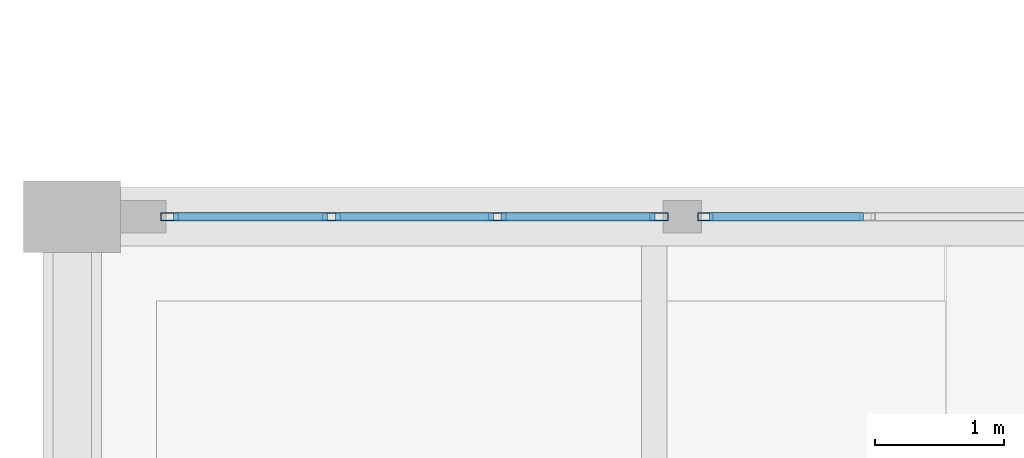
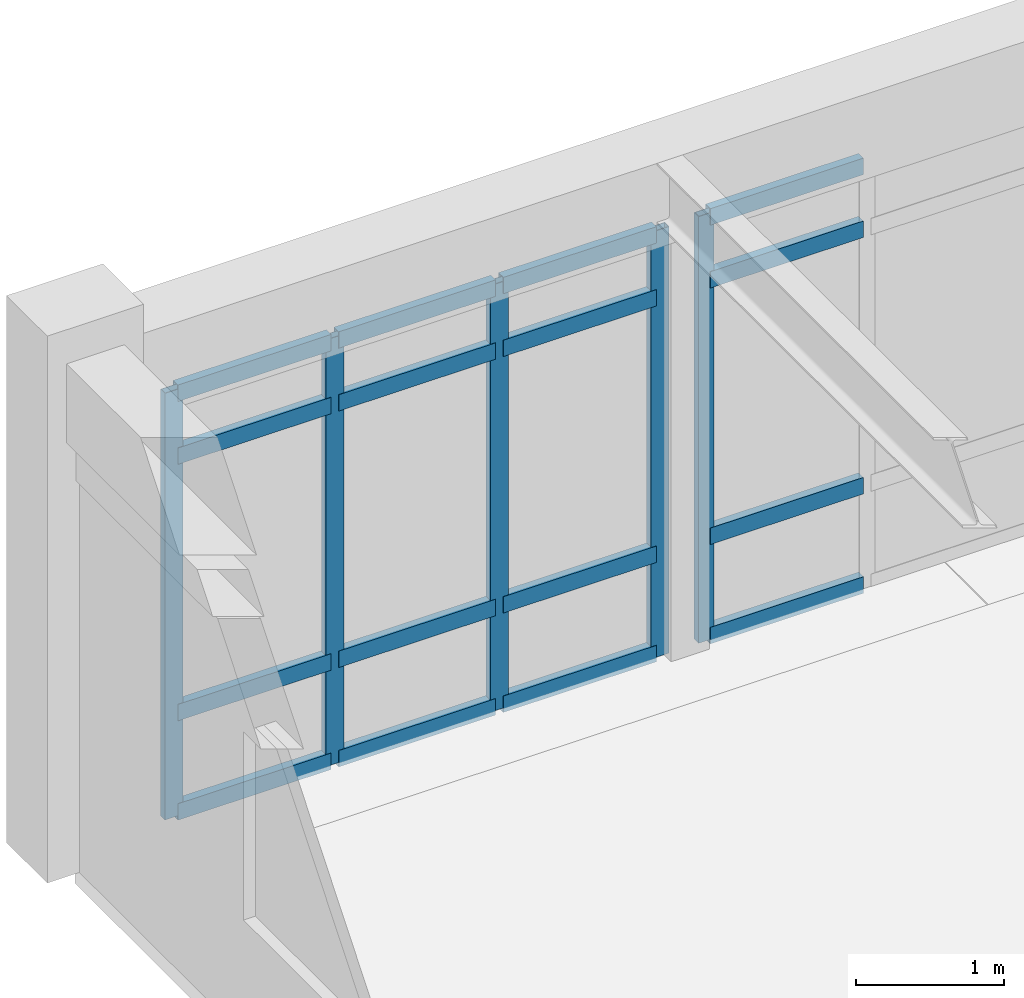
# One storey, part 16 of 109: 21 members, 2 elements without a shape of their own.
"""IFC4 building model written with IfcOpenShell, lengths in metres."""

from ifc_helpers import new_model, si_unit, direction, frame, origin, origin_2d, place, context, subcontext, project, spatial, hollow_rectangle, extrude, material, layer, layer_set, material_profile, profile_set, type_object, element, aggregate, save


model = new_model("IFC4")

# Units and contexts
model_context = context("Model", 3, precision=1e-05, world=origin(), true_north=direction((0.0, 1.0)))
body_context = subcontext(model_context, "Body", "Model", "MODEL_VIEW")
ifc_project = project(units=[si_unit("LENGTHUNIT", "METRE"), si_unit("AREAUNIT", "SQUARE_METRE"), si_unit("VOLUMEUNIT", "CUBIC_METRE"), si_unit("PLANEANGLEUNIT", "RADIAN"), si_unit("MASSUNIT", "GRAM", prefix="KILO")], contexts=[model_context])

# Site, building, storey
site_placement = place(None, origin())
site = spatial("IfcSite", under=ifc_project, at=site_placement, CompositionType="ELEMENT")
building_placement = place(site_placement, origin())
building = spatial("IfcBuilding", under=site, at=building_placement, Name="Fikremerkos Civic Library", CompositionType="ELEMENT")
storey_placement = place(building_placement, frame((0.0, 0.0, 5.39990234375)))
storey = spatial("IfcBuildingStorey", under=building, at=storey_placement, Name="L01", CompositionType="ELEMENT", Elevation=5.39990234375)

# Curtain wall, members
ifc_material = material(Name="Anodized aluminium Frame", Category="aluminium")
ifc_layer_1 = layer(ifc_material, 0.159912109375, Name="Anodized aluminium Frame")
ifc_layer_set_1 = layer_set([ifc_layer_1], Name="Anodized aluminium Frame")
curtain_wall_type_1 = type_object("IfcCurtainWallType", Name="Unitised curtain wall CW-11 3200x3400", PredefinedType="USERDEFINED", material=ifc_layer_set_1)
curtain_wall_1_placement = place(storey_placement, origin())
curtain_wall_1 = element("IfcCurtainWall", 1, at=curtain_wall_1_placement, inside=storey, type_object=curtain_wall_type_1, Name="Unitised curtain wall CW-11 L01 #83", ObjectType="UNITISED CURTAIN WALL", PredefinedType="USERDEFINED")
ifc_material_profile_1 = material_profile(ifc_material, hollow_rectangle(XDim=0.06005859375, YDim=0.139892578125, WallThickness=0.00390625, at=origin_2d()), Name="ALU 140x60x4")
ifc_profile_set_1 = profile_set([ifc_material_profile_1], Name="Anodized aluminium Frame")
member_type_1 = type_object("IfcMemberType", Name="Curtain mullion CWM-03 ALU 140x60x4", PredefinedType="MULLION", material=ifc_profile_set_1)
member_1_placement = place(storey_placement, frame((46.952880859375, 48.0, 0.0), z_axis=(0.0, 0.0, 1.0), x_axis=(0.0, 1.0, 0.0)))
member_1 = element("IfcMember", 2, at=member_1_placement, type_object=member_type_1, Name="CW-11 mullion 1", PredefinedType="MULLION", context=body_context, shape_type="SweptSolid", body=[
    extrude(hollow_rectangle(XDim=0.06005859375, YDim=0.139892578125, WallThickness=0.00390625, at=origin_2d()), origin(), (0.0, 0.0, 1.0), 3.510009765625),
])
member_2_placement = place(storey_placement, frame((48.2041015625, 48.0, 0.0), z_axis=(0.0, 0.0, 1.0), x_axis=(0.0, 1.0, 0.0)))
member_2 = element("IfcMember", 3, at=member_2_placement, type_object=member_type_1, Name="CW-11 mullion 2", PredefinedType="MULLION", context=body_context, shape_type="SweptSolid", body=[
    extrude(hollow_rectangle(XDim=0.06005859375, YDim=0.139892578125, WallThickness=0.00390625, at=origin_2d()), origin(), (0.0, 0.0, 1.0), 3.510009765625),
])
member_3_placement = place(storey_placement, frame((49.485107421875, 48.0, 0.0), z_axis=(0.0, 0.0, 1.0), x_axis=(0.0, 1.0, 0.0)))
member_3 = element("IfcMember", 4, at=member_3_placement, type_object=member_type_1, Name="CW-11 mullion 3", PredefinedType="MULLION", context=body_context, shape_type="SweptSolid", body=[
    extrude(hollow_rectangle(XDim=0.06005859375, YDim=0.139892578125, WallThickness=0.00390625, at=origin_2d()), origin(), (0.0, 0.0, 1.0), 3.510009765625),
])
member_4_placement = place(storey_placement, frame((50.736083984375, 48.0, 0.0), z_axis=(0.0, 0.0, 1.0), x_axis=(0.0, 1.0, 0.0)))
member_4 = element("IfcMember", 5, at=member_4_placement, type_object=member_type_1, Name="CW-11 mullion 4", PredefinedType="MULLION", context=body_context, shape_type="SweptSolid", body=[
    extrude(hollow_rectangle(XDim=0.06005859375, YDim=0.139892578125, WallThickness=0.00390625, at=origin_2d()), origin(), (0.0, 0.0, 1.0), 3.510009765625),
])

# Curtain wall, member
ifc_layer_2 = layer(ifc_material, 0.159912109375, Name="Anodized aluminium Frame")
ifc_layer_set_2 = layer_set([ifc_layer_2], Name="Anodized aluminium Frame")
curtain_wall_type_2 = type_object("IfcCurtainWallType", Name="Unitised curtain wall CW-12 4300x3400", PredefinedType="USERDEFINED", material=ifc_layer_set_2)
curtain_wall_2_placement = place(storey_placement, origin())
curtain_wall_2 = element("IfcCurtainWall", 6, at=curtain_wall_2_placement, inside=storey, type_object=curtain_wall_type_2, Name="Unitised curtain wall CW-12 L01 #84", ObjectType="UNITISED CURTAIN WALL", PredefinedType="USERDEFINED")
ifc_material_profile_2 = material_profile(ifc_material, hollow_rectangle(XDim=0.06005859375, YDim=0.1201171875, WallThickness=0.00390625, at=origin_2d()), Name="ALU 120x60x4")
ifc_profile_set_2 = profile_set([ifc_material_profile_2], Name="Anodized aluminium Frame")
member_type_2 = type_object("IfcMemberType", Name="Curtain mullion CWM-04 ALU 120x60x4", PredefinedType="MULLION", material=ifc_profile_set_2)
member_5_placement = place(storey_placement, frame((51.095947265625, 48.0, 0.0), z_axis=(0.0, 0.0, 1.0), x_axis=(0.0, 1.0, 0.0)))
member_5 = element("IfcMember", 7, at=member_5_placement, type_object=member_type_2, Name="CW-12 mullion 1", PredefinedType="MULLION", context=body_context, shape_type="SweptSolid", body=[
    extrude(hollow_rectangle(XDim=0.06005859375, YDim=0.1201171875, WallThickness=0.00390625, at=origin_2d()), origin(), (0.0, 0.0, 1.0), 3.510009765625),
])

# Member
ifc_material_profile_3 = material_profile(ifc_material, hollow_rectangle(XDim=0.06494140625, YDim=0.135009765625, WallThickness=0.00439453125, at=origin_2d()), Name="ALU 135x65x4.5")
ifc_profile_set_3 = profile_set([ifc_material_profile_3], Name="Anodized aluminium Frame")
member_type_3 = type_object("IfcMemberType", Name="Curtain transom CWT-02 ALU 135x65x4.5", PredefinedType="USERDEFINED", material=ifc_profile_set_3)
member_6_placement = place(storey_placement, frame((46.98291015625, 48.0, 0.03271484375), z_axis=(1.0, 0.0, 0.0), x_axis=(0.0, 1.0, 0.0)))
member_6 = element("IfcMember", 8, at=member_6_placement, type_object=member_type_3, Name="CW-11 transom 1.1", ObjectType="TRANSOM", PredefinedType="USERDEFINED", context=body_context, shape_type="SweptSolid", body=[
    extrude(hollow_rectangle(XDim=0.06494140625, YDim=0.135009765625, WallThickness=0.00439453125, at=origin_2d()), origin(), (0.0, 0.0, 1.0), 1.191162109375),
])

member_7_placement = place(storey_placement, frame((46.98291015625, 48.0, 0.85009765625), z_axis=(1.0, 0.0, 0.0), x_axis=(0.0, 1.0, 0.0)))
member_7 = element("IfcMember", 9, at=member_7_placement, type_object=member_type_3, Name="CW-11 transom 1.2", ObjectType="TRANSOM", PredefinedType="USERDEFINED", context=body_context, shape_type="SweptSolid", body=[
    extrude(hollow_rectangle(XDim=0.06494140625, YDim=0.135009765625, WallThickness=0.00439453125, at=origin_2d()), origin(), (0.0, 0.0, 1.0), 1.191162109375),
])

member_8_placement = place(storey_placement, frame((46.98291015625, 48.0, 2.960205078125), z_axis=(1.0, 0.0, 0.0), x_axis=(0.0, 1.0, 0.0)))
member_8 = element("IfcMember", 10, at=member_8_placement, type_object=member_type_3, Name="CW-11 transom 1.3", ObjectType="TRANSOM", PredefinedType="USERDEFINED", context=body_context, shape_type="SweptSolid", body=[
    extrude(hollow_rectangle(XDim=0.06494140625, YDim=0.135009765625, WallThickness=0.00439453125, at=origin_2d()), origin(), (0.0, 0.0, 1.0), 1.191162109375),
])

member_9_placement = place(storey_placement, frame((46.98291015625, 48.0, 3.4775390625), z_axis=(1.0, 0.0, 0.0), x_axis=(0.0, 1.0, 0.0)))
member_9 = element("IfcMember", 11, at=member_9_placement, type_object=member_type_3, Name="CW-11 transom 1.4", ObjectType="TRANSOM", PredefinedType="USERDEFINED", context=body_context, shape_type="SweptSolid", body=[
    extrude(hollow_rectangle(XDim=0.06494140625, YDim=0.135009765625, WallThickness=0.00439453125, at=origin_2d()), origin(), (0.0, 0.0, 1.0), 1.191162109375),
])

member_10_placement = place(storey_placement, frame((48.23388671875, 48.0, 0.03271484375), z_axis=(1.0, 0.0, 0.0), x_axis=(0.0, 1.0, 0.0)))
member_10 = element("IfcMember", 12, at=member_10_placement, type_object=member_type_3, Name="CW-11 transom 2.1", ObjectType="TRANSOM", PredefinedType="USERDEFINED", context=body_context, shape_type="SweptSolid", body=[
    extrude(hollow_rectangle(XDim=0.06494140625, YDim=0.135009765625, WallThickness=0.00439453125, at=origin_2d()), origin(), (0.0, 0.0, 1.0), 1.22119140625),
])

member_11_placement = place(storey_placement, frame((48.23388671875, 48.0, 0.85009765625), z_axis=(1.0, 0.0, 0.0), x_axis=(0.0, 1.0, 0.0)))
member_11 = element("IfcMember", 13, at=member_11_placement, type_object=member_type_3, Name="CW-11 transom 2.2", ObjectType="TRANSOM", PredefinedType="USERDEFINED", context=body_context, shape_type="SweptSolid", body=[
    extrude(hollow_rectangle(XDim=0.06494140625, YDim=0.135009765625, WallThickness=0.00439453125, at=origin_2d()), origin(), (0.0, 0.0, 1.0), 1.22119140625),
])

member_12_placement = place(storey_placement, frame((48.23388671875, 48.0, 2.960205078125), z_axis=(1.0, 0.0, 0.0), x_axis=(0.0, 1.0, 0.0)))
member_12 = element("IfcMember", 14, at=member_12_placement, type_object=member_type_3, Name="CW-11 transom 2.3", ObjectType="TRANSOM", PredefinedType="USERDEFINED", context=body_context, shape_type="SweptSolid", body=[
    extrude(hollow_rectangle(XDim=0.06494140625, YDim=0.135009765625, WallThickness=0.00439453125, at=origin_2d()), origin(), (0.0, 0.0, 1.0), 1.22119140625),
])

member_13_placement = place(storey_placement, frame((48.23388671875, 48.0, 3.4775390625), z_axis=(1.0, 0.0, 0.0), x_axis=(0.0, 1.0, 0.0)))
member_13 = element("IfcMember", 15, at=member_13_placement, type_object=member_type_3, Name="CW-11 transom 2.4", ObjectType="TRANSOM", PredefinedType="USERDEFINED", context=body_context, shape_type="SweptSolid", body=[
    extrude(hollow_rectangle(XDim=0.06494140625, YDim=0.135009765625, WallThickness=0.00439453125, at=origin_2d()), origin(), (0.0, 0.0, 1.0), 1.22119140625),
])

member_14_placement = place(storey_placement, frame((49.514892578125, 48.0, 0.03271484375), z_axis=(1.0, 0.0, 0.0), x_axis=(0.0, 1.0, 0.0)))
member_14 = element("IfcMember", 16, at=member_14_placement, type_object=member_type_3, Name="CW-11 transom 3.1", ObjectType="TRANSOM", PredefinedType="USERDEFINED", context=body_context, shape_type="SweptSolid", body=[
    extrude(hollow_rectangle(XDim=0.06494140625, YDim=0.135009765625, WallThickness=0.00439453125, at=origin_2d()), origin(), (0.0, 0.0, 1.0), 1.191162109375),
])

member_15_placement = place(storey_placement, frame((49.514892578125, 48.0, 0.85009765625), z_axis=(1.0, 0.0, 0.0), x_axis=(0.0, 1.0, 0.0)))
member_15 = element("IfcMember", 17, at=member_15_placement, type_object=member_type_3, Name="CW-11 transom 3.2", ObjectType="TRANSOM", PredefinedType="USERDEFINED", context=body_context, shape_type="SweptSolid", body=[
    extrude(hollow_rectangle(XDim=0.06494140625, YDim=0.135009765625, WallThickness=0.00439453125, at=origin_2d()), origin(), (0.0, 0.0, 1.0), 1.191162109375),
])

member_16_placement = place(storey_placement, frame((49.514892578125, 48.0, 2.960205078125), z_axis=(1.0, 0.0, 0.0), x_axis=(0.0, 1.0, 0.0)))
member_16 = element("IfcMember", 18, at=member_16_placement, type_object=member_type_3, Name="CW-11 transom 3.3", ObjectType="TRANSOM", PredefinedType="USERDEFINED", context=body_context, shape_type="SweptSolid", body=[
    extrude(hollow_rectangle(XDim=0.06494140625, YDim=0.135009765625, WallThickness=0.00439453125, at=origin_2d()), origin(), (0.0, 0.0, 1.0), 1.191162109375),
])

member_17_placement = place(storey_placement, frame((49.514892578125, 48.0, 3.4775390625), z_axis=(1.0, 0.0, 0.0), x_axis=(0.0, 1.0, 0.0)))
member_17 = element("IfcMember", 19, at=member_17_placement, type_object=member_type_3, Name="CW-11 transom 3.4", ObjectType="TRANSOM", PredefinedType="USERDEFINED", context=body_context, shape_type="SweptSolid", body=[
    extrude(hollow_rectangle(XDim=0.06494140625, YDim=0.135009765625, WallThickness=0.00439453125, at=origin_2d()), origin(), (0.0, 0.0, 1.0), 1.191162109375),
])

aggregate(curtain_wall_1, [member_1, member_2, member_3, member_4, member_6, member_7, member_8, member_9, member_10, member_11, member_12, member_13, member_14, member_15, member_16, member_17])

member_18_placement = place(storey_placement, frame((51.1259765625, 48.0, 0.03271484375), z_axis=(1.0, 0.0, 0.0), x_axis=(0.0, 1.0, 0.0)))
member_18 = element("IfcMember", 20, at=member_18_placement, type_object=member_type_3, Name="CW-12 transom 1.1", ObjectType="TRANSOM", PredefinedType="USERDEFINED", context=body_context, shape_type="SweptSolid", body=[
    extrude(hollow_rectangle(XDim=0.06494140625, YDim=0.135009765625, WallThickness=0.00439453125, at=origin_2d()), origin(), (0.0, 0.0, 1.0), 1.19091796875),
])

member_19_placement = place(storey_placement, frame((51.1259765625, 48.0, 0.85009765625), z_axis=(1.0, 0.0, 0.0), x_axis=(0.0, 1.0, 0.0)))
member_19 = element("IfcMember", 21, at=member_19_placement, type_object=member_type_3, Name="CW-12 transom 1.2", ObjectType="TRANSOM", PredefinedType="USERDEFINED", context=body_context, shape_type="SweptSolid", body=[
    extrude(hollow_rectangle(XDim=0.06494140625, YDim=0.135009765625, WallThickness=0.00439453125, at=origin_2d()), origin(), (0.0, 0.0, 1.0), 1.19091796875),
])

member_20_placement = place(storey_placement, frame((51.1259765625, 48.0, 2.960205078125), z_axis=(1.0, 0.0, 0.0), x_axis=(0.0, 1.0, 0.0)))
member_20 = element("IfcMember", 22, at=member_20_placement, type_object=member_type_3, Name="CW-12 transom 1.3", ObjectType="TRANSOM", PredefinedType="USERDEFINED", context=body_context, shape_type="SweptSolid", body=[
    extrude(hollow_rectangle(XDim=0.06494140625, YDim=0.135009765625, WallThickness=0.00439453125, at=origin_2d()), origin(), (0.0, 0.0, 1.0), 1.19091796875),
])

member_21_placement = place(storey_placement, frame((51.1259765625, 48.0, 3.4775390625), z_axis=(1.0, 0.0, 0.0), x_axis=(0.0, 1.0, 0.0)))
member_21 = element("IfcMember", 23, at=member_21_placement, type_object=member_type_3, Name="CW-12 transom 1.4", ObjectType="TRANSOM", PredefinedType="USERDEFINED", context=body_context, shape_type="SweptSolid", body=[
    extrude(hollow_rectangle(XDim=0.06494140625, YDim=0.135009765625, WallThickness=0.00439453125, at=origin_2d()), origin(), (0.0, 0.0, 1.0), 1.19091796875),
])

aggregate(curtain_wall_2, [member_5, member_18, member_19, member_20, member_21])

save(model, "model.ifc")
